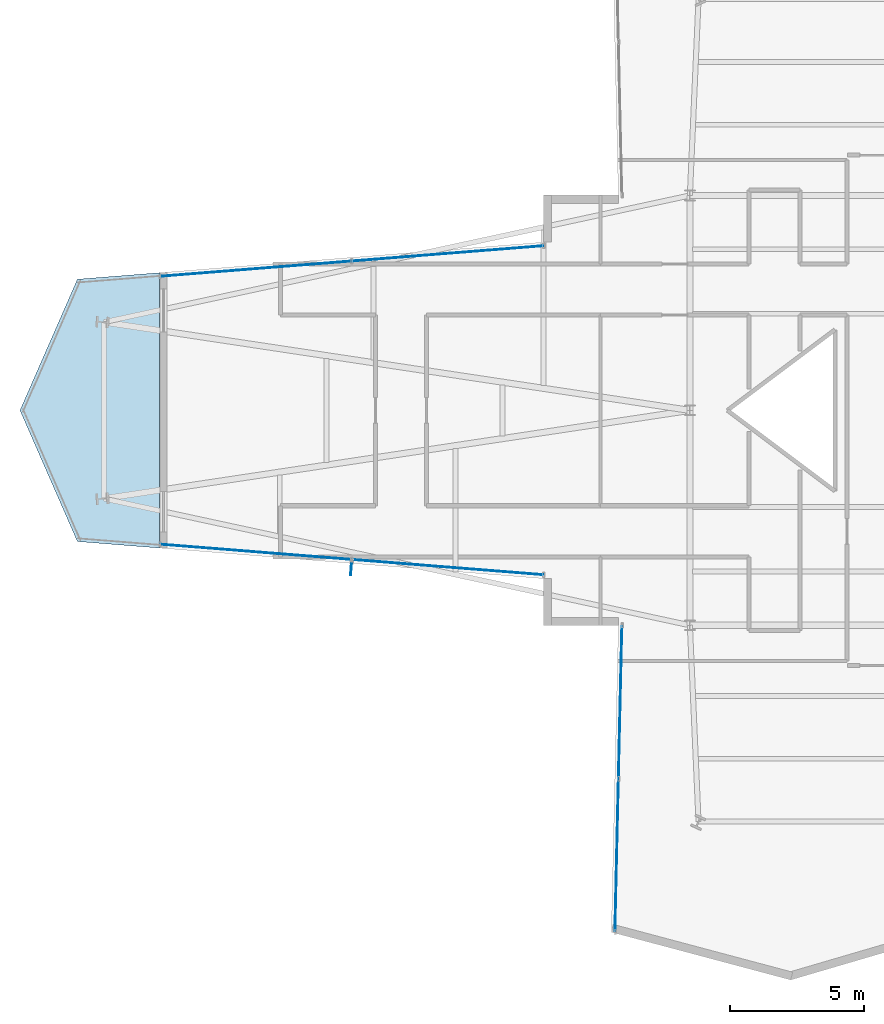
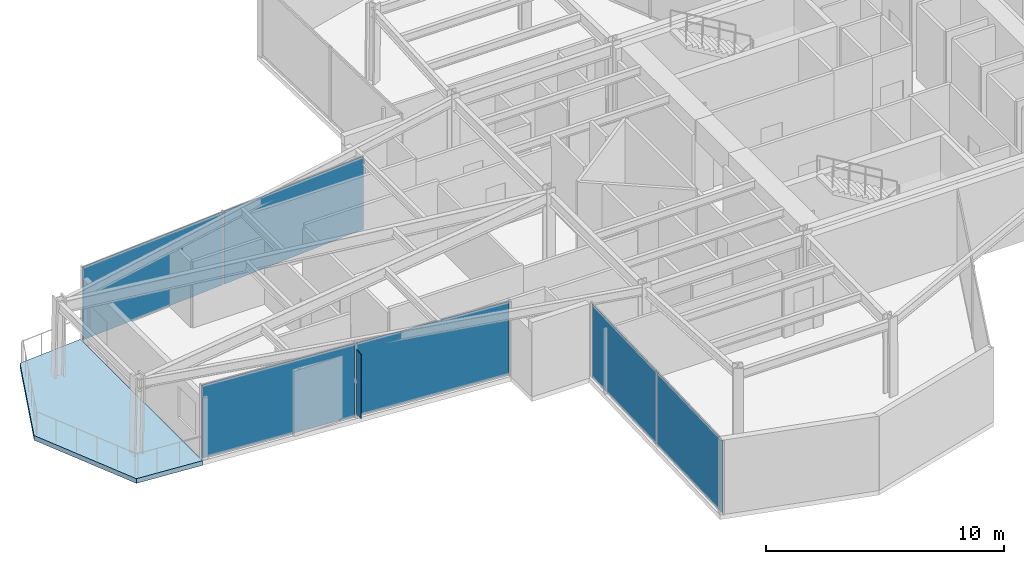
# One storey, part 20 of 27: 7 plates, 1 slab, 3 elements without a shape of their own.
"""IFC4 building model written with IfcOpenShell, lengths in metres."""

from ifc_helpers import new_model, si_unit, direction, frame, origin, origin_2d, place, context, subcontext, project, spatial, polyline, rectangle, outline, extrude, material, layer, layer_set, type_object, element, aggregate, save


model = new_model("IFC4")

# Units and contexts
model_context = context("Model", 3, precision=1e-05, world=origin(), true_north=direction((0.0, 1.0)))
body_context = subcontext(model_context, "Body", "Model", "MODEL_VIEW")
ifc_project = project(units=[si_unit("LENGTHUNIT", "METRE"), si_unit("AREAUNIT", "SQUARE_METRE"), si_unit("VOLUMEUNIT", "CUBIC_METRE"), si_unit("PLANEANGLEUNIT", "RADIAN"), si_unit("MASSUNIT", "GRAM", prefix="KILO")], contexts=[model_context])

# Site, building, storey
site_placement = place(None, origin())
site = spatial("IfcSite", under=ifc_project, at=site_placement, CompositionType="ELEMENT")
building_placement = place(site_placement, origin())
building = spatial("IfcBuilding", under=site, at=building_placement, Name="Veymaron Broadcast Tower", CompositionType="ELEMENT")
storey_placement = place(building_placement, frame((0.0, 0.0, 86.39990234375)))
storey = spatial("IfcBuildingStorey", under=building, at=storey_placement, Name="L19", CompositionType="ELEMENT", Elevation=86.39990234375)

# Curtain wall, plates
ifc_material_1 = material(Name="Anodised aluminium AA 6063-T6 and laminated low-E dark glass", Category="aluminium")
ifc_layer_1 = layer(ifc_material_1, 0.179931640625)
ifc_layer_set_1 = layer_set([ifc_layer_1], Name="Anodised aluminium AA 6063-T6 and laminated low-E dark glass")
curtain_wall_type = type_object("IfcCurtainWallType", Name="CW-SYS-02", PredefinedType="NOTDEFINED", material=ifc_layer_set_1)
curtain_wall_1_placement = place(storey_placement, origin())
curtain_wall_1 = element("IfcCurtainWall", 1, at=curtain_wall_1_placement, inside=storey, type_object=curtain_wall_type, Name="L19 dark-glass curtain wall CW-L19-E12-1", PredefinedType="NOTDEFINED")
ifc_material_2 = material(Name="Double-silver solar-control dark glass IGU 32 mm", Category="glass")
ifc_layer_2 = layer(ifc_material_2, 0.031982421875)
ifc_layer_set_2 = layer_set([ifc_layer_2], Name="Double-silver solar-control dark glass IGU 32 mm")
plate_type_1 = type_object("IfcPlateType", Name="CW-PNL-02", PredefinedType="CURTAIN_PANEL", material=ifc_layer_set_2)
plate_1_placement = place(storey_placement, frame((22.191162109375, 29.83984375, 0.0400390625), z_axis=(0.0, 0.0, 1.0), x_axis=(-0.996841559106, -0.079416031374, 0.0)))
plate_1 = element("IfcPlate", 2, at=plate_1_placement, type_object=plate_type_1, Name="CW-L19-E12-1 unitised curtain panel 0", PredefinedType="CURTAIN_PANEL", context=body_context, shape_type="SweptSolid", body=[
    extrude(rectangle(XDim=7.106689453125, YDim=0.031982421875, at=origin_2d()), origin(), (0.0, 0.0, 1.0), 3.72998046875),
])
plate_2_placement = place(storey_placement, frame((15.047119140625, 29.270751953125, 0.0400390625), z_axis=(0.0, 0.0, 1.0), x_axis=(-0.996841559106, -0.079416031374, 0.0)))
plate_2 = element("IfcPlate", 3, at=plate_2_placement, type_object=plate_type_1, Name="CW-L19-E12-1 unitised curtain panel 1", PredefinedType="CURTAIN_PANEL", context=body_context, shape_type="SweptSolid", body=[
    extrude(rectangle(XDim=7.106689453125, YDim=0.031982421875, at=origin_2d()), origin(), (0.0, 0.0, 1.0), 3.72998046875),
])
aggregate(curtain_wall_1, [plate_1, plate_2])

curtain_wall_2_placement = place(storey_placement, origin())
curtain_wall_2 = element("IfcCurtainWall", 4, at=curtain_wall_2_placement, inside=storey, type_object=curtain_wall_type, Name="L19 dark-glass curtain wall CW-L19-E14-1", PredefinedType="NOTDEFINED")
plate_3_placement = place(storey_placement, frame((15.047119140625, 18.729248046875, 0.0400390625), z_axis=(0.0, 0.0, 1.0), x_axis=(0.996841559106, -0.079416031374, 0.0)))
plate_3 = element("IfcPlate", 5, at=plate_3_placement, type_object=plate_type_1, Name="CW-L19-E14-1 unitised curtain panel 0", PredefinedType="CURTAIN_PANEL", context=body_context, shape_type="SweptSolid", body=[
    extrude(rectangle(XDim=7.106689453125, YDim=0.031982421875, at=origin_2d()), origin(), (0.0, 0.0, 1.0), 3.72998046875),
])
plate_4_placement = place(storey_placement, frame((22.191162109375, 18.16015625, 0.0400390625), z_axis=(0.0, 0.0, 1.0), x_axis=(0.996841559106, -0.079416031374, 0.0)))
plate_4 = element("IfcPlate", 6, at=plate_4_placement, type_object=plate_type_1, Name="CW-L19-E14-1 unitised curtain panel 1", PredefinedType="CURTAIN_PANEL", context=body_context, shape_type="SweptSolid", body=[
    extrude(rectangle(XDim=7.106689453125, YDim=0.031982421875, at=origin_2d()), origin(), (0.0, 0.0, 1.0), 3.72998046875),
])
aggregate(curtain_wall_2, [plate_3, plate_4])

curtain_wall_3_placement = place(storey_placement, origin())
curtain_wall_3 = element("IfcCurtainWall", 7, at=curtain_wall_3_placement, inside=storey, type_object=curtain_wall_type, Name="L19 dark-glass curtain wall CW-L19-E17-1", PredefinedType="NOTDEFINED")
plate_5_placement = place(storey_placement, frame((28.60888671875, 13.143310546875, 0.0400390625), z_axis=(0.0, 0.0, 1.0), x_axis=(-0.022774577487, -0.999740625673, 0.0)))
plate_5 = element("IfcPlate", 8, at=plate_5_placement, type_object=plate_type_1, Name="CW-L19-E17-1 unitised curtain panel 0", PredefinedType="CURTAIN_PANEL", context=body_context, shape_type="SweptSolid", body=[
    extrude(rectangle(XDim=5.6484375, YDim=0.031982421875, at=origin_2d()), origin(), (0.0, 0.0, 1.0), 3.72998046875),
])
plate_6_placement = place(storey_placement, frame((28.478759765625, 7.436279296875, 0.0400390625), z_axis=(0.0, 0.0, 1.0), x_axis=(-0.022774577487, -0.999740625673, 0.0)))
plate_6 = element("IfcPlate", 9, at=plate_6_placement, type_object=plate_type_1, Name="CW-L19-E17-1 unitised curtain panel 1", PredefinedType="CURTAIN_PANEL", context=body_context, shape_type="SweptSolid", body=[
    extrude(rectangle(XDim=5.6484375, YDim=0.031982421875, at=origin_2d()), origin(), (0.0, 0.0, 1.0), 3.72998046875),
])
aggregate(curtain_wall_3, [plate_5, plate_6])

# Plate
ifc_material_3 = material(Name="Dark-anodised aluminium AA 6061-T6", Category="aluminium")
ifc_layer_3 = layer(ifc_material_3, 0.034912109375)
ifc_layer_set_3 = layer_set([ifc_layer_3], Name="Dark-anodised aluminium AA 6061-T6")
plate_type_2 = type_object("IfcPlateType", Name="FIN-CHEV-01", PredefinedType="USERDEFINED", material=ifc_layer_set_3)
plate_7_placement = place(storey_placement, frame((18.5908203125, 18.0908203125, 0.2666015625), z_axis=(0.0, 0.0, 1.0), x_axis=(-0.079416031374, -0.996841559106, 0.0)))
element("IfcPlate", 10, at=plate_7_placement, inside=storey, type_object=plate_type_2, Name="CW-L19-E14-1 chevron fin 1", ObjectType="FIN", PredefinedType="USERDEFINED", context=body_context, shape_type="SweptSolid", body=[
    extrude(rectangle(XDim=0.449951171875, YDim=0.034912109375, at=origin_2d()), origin(), (0.0, 0.0, 1.0), 3.276611328125),
])

# Slab
ifc_material_4 = material(Name="Concrete C40/50", Category="concrete")
ifc_layer_4 = layer(ifc_material_4, 0.239990234375)
ifc_layer_set_4 = layer_set([ifc_layer_4], Name="Concrete C40/50")
slab_type = type_object("IfcSlabType", Name="SLAB-TERR-250", PredefinedType="FLOOR", material=ifc_layer_set_4)
slab_placement = place(storey_placement, frame((0.0, 0.0, -0.239990234375)))
element("IfcSlab", 11, at=slab_placement, inside=storey, type_object=slab_type, Name="L19 outdoor sky terrace slab", PredefinedType="FLOOR", context=body_context, shape_type="SweptSolid", body=[
    extrude(outline(polyline([(11.464111328125, 18.874267578125), (11.464111328125, 29.125732421875), (8.39990234375, 28.881591796875), (6.263916015625, 24.0), (8.39990234375, 19.118408203125), (11.464111328125, 18.874267578125)])), origin(), (0.0, 0.0, 1.0), 0.239990234375),
])

save(model, "model.ifc")
